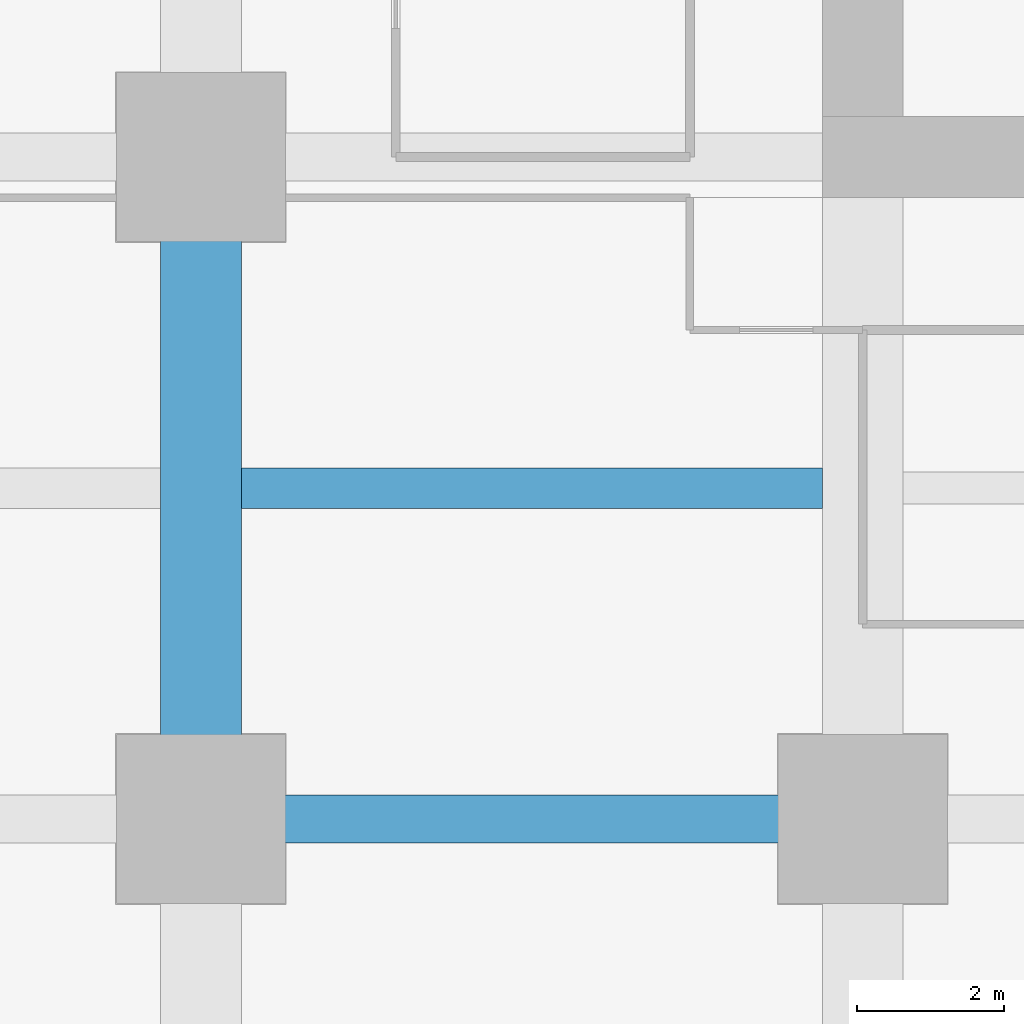
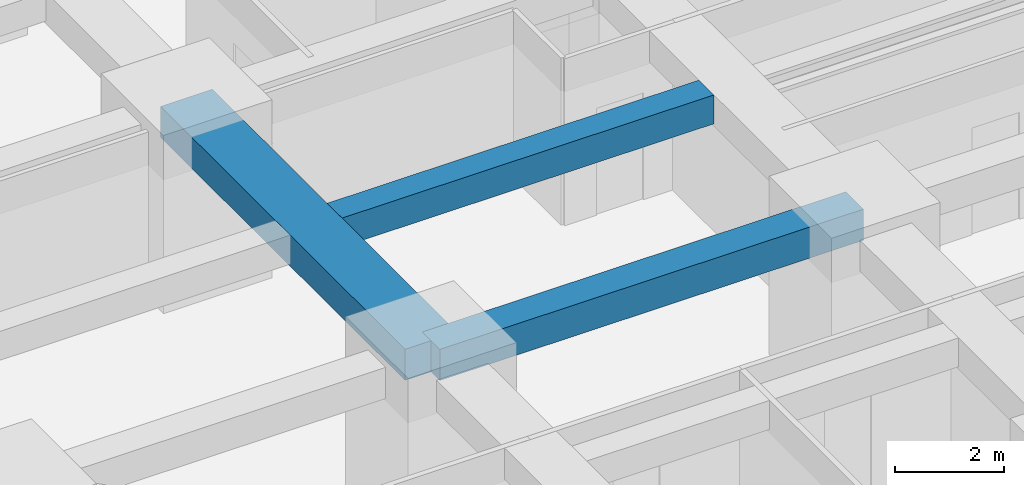
# One storey, part 5 of 45: 3 beams.
"""IFC4 building model written with IfcOpenShell, lengths in metres."""

from ifc_helpers import new_model, si_unit, direction, frame, origin, origin_2d, place, context, subcontext, project, spatial, rectangle, extrude, material, material_profile, profile_set, type_object, element, save


model = new_model("IFC4")

# Units and contexts
model_context = context("Model", 3, precision=1e-05, world=origin(), true_north=direction((0.0, 1.0)))
body_context = subcontext(model_context, "Body", "Model", "MODEL_VIEW")
ifc_project = project(units=[si_unit("LENGTHUNIT", "METRE"), si_unit("AREAUNIT", "SQUARE_METRE"), si_unit("VOLUMEUNIT", "CUBIC_METRE"), si_unit("PLANEANGLEUNIT", "RADIAN"), si_unit("MASSUNIT", "GRAM", prefix="KILO")], contexts=[model_context])

# Site, building, storey
site_placement = place(None, origin())
site = spatial("IfcSite", under=ifc_project, at=site_placement, CompositionType="ELEMENT")
building_placement = place(site_placement, origin())
building = spatial("IfcBuilding", under=site, at=building_placement, Name="Zorevar Civic Tower", CompositionType="ELEMENT")
storey_placement = place(building_placement, frame((0.0, 0.0, 47.800048828125)))
storey = spatial("IfcBuildingStorey", under=building, at=storey_placement, Name="L11", CompositionType="ELEMENT", Elevation=47.800048828125)

# Beams
ifc_material_1 = material(Name="Concrete C50/60", Category="concrete")
ifc_material_profile_1 = material_profile(ifc_material_1, rectangle(XDim=1.10009765625, YDim=0.699951171875, at=origin_2d()), Name="RC 1100x700")
ifc_profile_set_1 = profile_set([ifc_material_profile_1], Name="Concrete C50/60")
beam_type_1 = type_object("IfcBeamType", Name="Beam RC 1100x700", PredefinedType="BEAM", material=ifc_profile_set_1)
beam_1_placement = place(storey_placement, frame((9.0, 9.0, 3.39990234375), z_axis=(0.0, 1.0, 0.0), x_axis=(-1.0, 0.0, 0.0)))
element("IfcBeam", 1, at=beam_1_placement, inside=storey, type_object=beam_type_1, Name="Girder L12", PredefinedType="BEAM", context=body_context, shape_type="SweptSolid", body=[
    extrude(rectangle(XDim=1.10009765625, YDim=0.699951171875, at=origin_2d()), origin(), (0.0, 0.0, 1.0), 9.0),
])
ifc_material_2 = material(Name="Concrete C50/60", Category="concrete")
ifc_material_profile_2 = material_profile(ifc_material_2, rectangle(XDim=0.550048828125, YDim=0.64990234375, at=origin_2d()), Name="RC 550x650")
ifc_profile_set_2 = profile_set([ifc_material_profile_2], Name="Concrete C50/60")
beam_type_2 = type_object("IfcBeamType", Name="Beam RC 550x650", PredefinedType="BEAM", material=ifc_profile_set_2)
beam_2_placement = place(storey_placement, frame((9.550048828125, 13.5, 3.425048828125), z_axis=(1.0, 0.0, 0.0), x_axis=(0.0, 1.0, 0.0)))
element("IfcBeam", 2, at=beam_2_placement, inside=storey, type_object=beam_type_2, Name="Secondary beam L12", PredefinedType="BEAM", context=body_context, shape_type="SweptSolid", body=[
    extrude(rectangle(XDim=0.550048828125, YDim=0.64990234375, at=origin_2d()), origin(), (0.0, 0.0, 1.0), 7.89990234375),
])
ifc_material_3 = material(Name="Concrete C50/60", Category="concrete")
ifc_material_profile_3 = material_profile(ifc_material_3, rectangle(XDim=0.64990234375, YDim=0.699951171875, at=origin_2d()), Name="RC 650x700")
ifc_profile_set_3 = profile_set([ifc_material_profile_3], Name="Concrete C50/60")
beam_type_3 = type_object("IfcBeamType", Name="Beam RC 650x700", PredefinedType="BEAM", material=ifc_profile_set_3)
beam_3_placement = place(storey_placement, frame((9.0, 9.0, 3.39990234375), z_axis=(1.0, 0.0, 0.0), x_axis=(0.0, 1.0, 0.0)))
element("IfcBeam", 3, at=beam_3_placement, inside=storey, type_object=beam_type_3, Name="Girder L12", PredefinedType="BEAM", context=body_context, shape_type="SweptSolid", body=[
    extrude(rectangle(XDim=0.64990234375, YDim=0.699951171875, at=origin_2d()), origin(), (0.0, 0.0, 1.0), 9.0),
])

save(model, "model.ifc")
